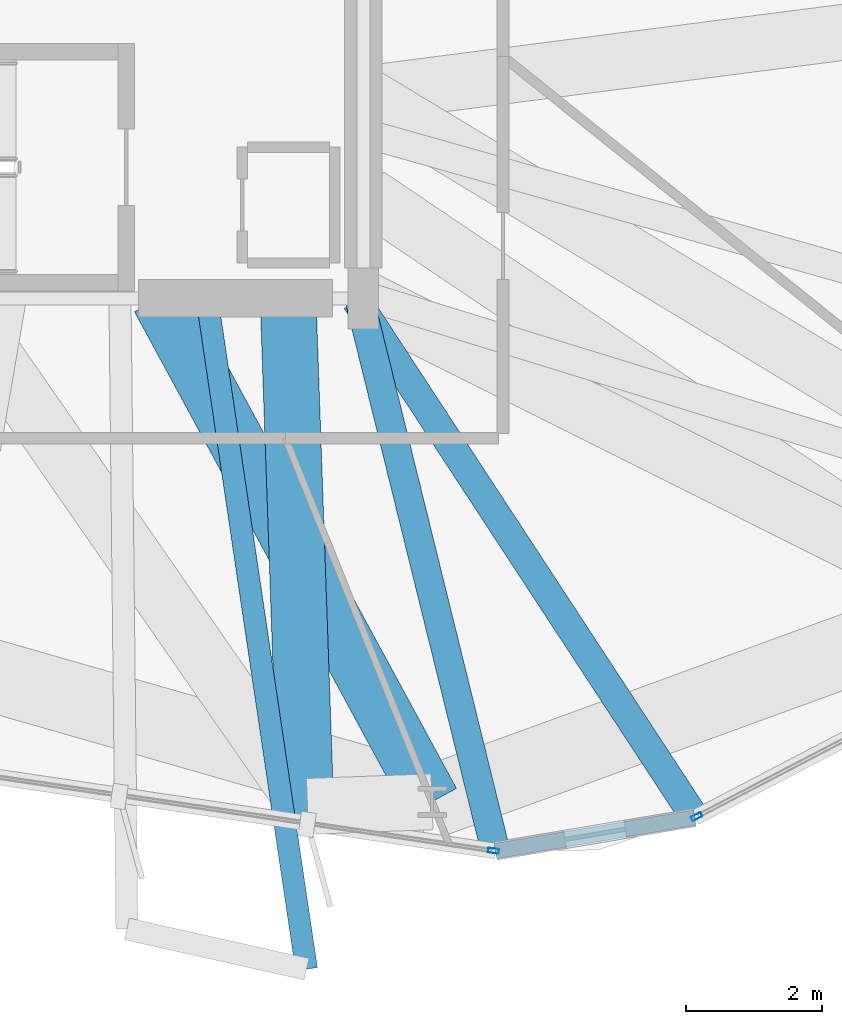
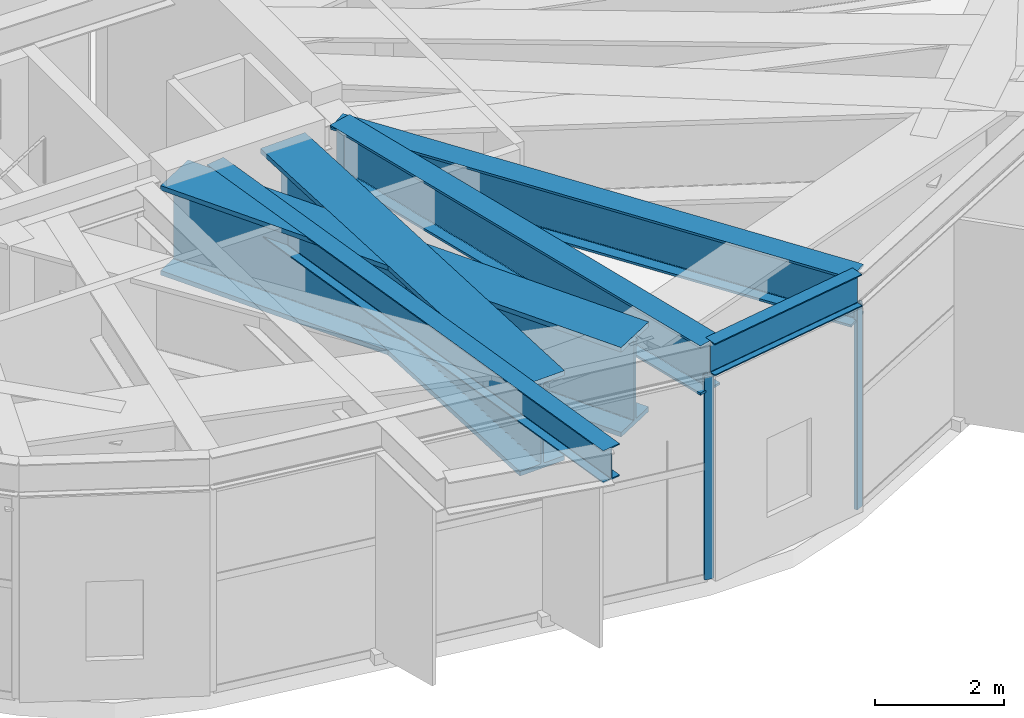
# One storey, part 7 of 27: 6 beams, 2 members, 2 elements without a shape of their own.
"""IFC4 building model written with IfcOpenShell, lengths in metres."""

from ifc_helpers import new_model, si_unit, direction, frame, origin, origin_2d, place, context, subcontext, project, spatial, hollow_rectangle, i_section, extrude, material, layer, layer_set, material_profile, profile_set, type_object, element, aggregate, save


model = new_model("IFC4")

# Units and contexts
model_context = context("Model", 3, precision=1e-05, world=origin(), true_north=direction((0.0, 1.0)))
body_context = subcontext(model_context, "Body", "Model", "MODEL_VIEW")
ifc_project = project(units=[si_unit("LENGTHUNIT", "METRE"), si_unit("AREAUNIT", "SQUARE_METRE"), si_unit("VOLUMEUNIT", "CUBIC_METRE"), si_unit("PLANEANGLEUNIT", "RADIAN"), si_unit("MASSUNIT", "GRAM", prefix="KILO")], contexts=[model_context])

# Site, building, storey
site_placement = place(None, origin())
site = spatial("IfcSite", under=ifc_project, at=site_placement, CompositionType="ELEMENT")
building_placement = place(site_placement, origin())
building = spatial("IfcBuilding", under=site, at=building_placement, Name="Soratama Intermodal Tower", CompositionType="ELEMENT")
storey_placement = place(building_placement, frame((0.0, 0.0, 134.199951171875)))
storey = spatial("IfcBuildingStorey", under=building, at=storey_placement, Name="L32", CompositionType="ELEMENT", Elevation=134.199951171875)

# Beams
ifc_material_1 = material(Name="Structural steel ASTM A992 Grade 50", Category="steel")
ifc_material_profile_1 = material_profile(ifc_material_1, i_section(OverallWidth=0.324951171875, OverallDepth=0.615966796875, WebThickness=0.013916015625, FlangeThickness=0.021484375, FilletRadius=0.013916015625, at=origin_2d()), Name="W24X117")
ifc_profile_set_1 = profile_set([ifc_material_profile_1], Name="Structural steel ASTM A992 Grade 50")
beam_type_1 = type_object("IfcBeamType", Name="BM-CANT-W24X117", PredefinedType="BEAM", material=ifc_profile_set_1)
beam_1_placement = place(storey_placement, frame((42.31005859375, 14.9599609375, 4.192138671875), z_axis=(0.146742322428, -0.989174752412, 0.0), x_axis=(0.989174752412, 0.146742322428, 0.0)))
element("IfcBeam", 1, at=beam_1_placement, inside=storey, type_object=beam_type_1, Name="BM-L32-CANT-4-2", PredefinedType="BEAM", context=body_context, shape_type="SweptSolid", body=[
    extrude(i_section(OverallWidth=0.324951171875, OverallDepth=0.615966796875, WebThickness=0.013916015625, FlangeThickness=0.021484375, FilletRadius=0.013916015625, at=origin_2d()), origin(), (0.0, 0.0, 1.0), 9.914306640625),
])
ifc_material_2 = material(Name="Structural steel ASTM A992 Grade 50", Category="steel")
ifc_material_profile_2 = material_profile(ifc_material_2, i_section(OverallWidth=0.423095703125, OverallDepth=0.93896484375, WebThickness=0.02392578125, FlangeThickness=0.042724609375, FilletRadius=0.02392578125, at=origin_2d()), Name="W36X302")
ifc_profile_set_2 = profile_set([ifc_material_profile_2], Name="Structural steel ASTM A992 Grade 50")
beam_type_2 = type_object("IfcBeamType", Name="BM-POD-W36X302", PredefinedType="BEAM", material=ifc_profile_set_2)
beam_2_placement = place(storey_placement, frame((44.548095703125, 14.9609375, 4.030517578125), z_axis=(0.239529612978, -0.970889058805, 0.0), x_axis=(0.970889058805, 0.239529612978, 0.0)))
element("IfcBeam", 2, at=beam_2_placement, inside=storey, type_object=beam_type_2, Name="BM-L32-TIE1-07", PredefinedType="BEAM", context=body_context, shape_type="SweptSolid", body=[
    extrude(i_section(OverallWidth=0.423095703125, OverallDepth=0.93896484375, WebThickness=0.02392578125, FlangeThickness=0.042724609375, FilletRadius=0.02392578125, at=origin_2d()), origin(), (0.0, 0.0, 1.0), 8.316162109375),
])
beam_3_placement = place(storey_placement, frame((44.49609375, 14.967041015625, 4.030517578125), z_axis=(0.547856129034, -0.836572568209, 0.0), x_axis=(0.836572568209, 0.547856129034, 0.0)))
element("IfcBeam", 3, at=beam_3_placement, inside=storey, type_object=beam_type_2, Name="BM-L32-TIE0-08", PredefinedType="BEAM", context=body_context, shape_type="SweptSolid", body=[
    extrude(i_section(OverallWidth=0.423095703125, OverallDepth=0.93896484375, WebThickness=0.02392578125, FlangeThickness=0.042724609375, FilletRadius=0.02392578125, at=origin_2d()), origin(), (0.0, 0.0, 1.0), 9.07177734375),
])
ifc_material_3 = material(Name="Structural steel ASTM A992 Grade 50", Category="steel")
ifc_material_profile_3 = material_profile(ifc_material_3, i_section(OverallWidth=0.22900390625, OverallDepth=0.612060546875, WebThickness=0.011962890625, FlangeThickness=0.01953125, FilletRadius=0.012939453125, at=origin_2d()), Name="W24X84")
ifc_profile_set_3 = profile_set([ifc_material_profile_3], Name="Structural steel ASTM A992 Grade 50")
beam_type_3 = type_object("IfcBeamType", Name="BM-SPN-W24X84", PredefinedType="SPANDREL", material=ifc_profile_set_3)
beam_4_placement = place(storey_placement, frame((46.5400390625, 6.886962890625, 4.194091796875), z_axis=(0.986213189202, 0.165479743303, 0.0), x_axis=(-0.165479743303, 0.986213189202, 0.0)))
element("IfcBeam", 4, at=beam_4_placement, inside=storey, type_object=beam_type_3, Name="BS-L32-CRN07", PredefinedType="SPANDREL", context=body_context, shape_type="SweptSolid", body=[
    extrude(i_section(OverallWidth=0.22900390625, OverallDepth=0.612060546875, WebThickness=0.011962890625, FlangeThickness=0.01953125, FilletRadius=0.012939453125, at=origin_2d()), origin(), (0.0, 0.0, 1.0), 2.967041015625),
])
ifc_material_4 = material(Name="Structural steel ASTM A992 Grade 50", Category="steel")
ifc_material_profile_4 = material_profile(ifc_material_4, i_section(OverallWidth=0.820068359375, OverallDepth=1.699951171875, WebThickness=0.053955078125, FlangeThickness=0.087890625, FilletRadius=0.02392578125, at=origin_2d()), Name="PG1580X800")
ifc_profile_set_4 = profile_set([ifc_material_profile_4], Name="Structural steel ASTM A992 Grade 50")
beam_type_4 = type_object("IfcBeamType", Name="BM-ZSTEP-PG1580", PredefinedType="BEAM", material=ifc_profile_set_4)
beam_5_placement = place(storey_placement, frame((43.4970703125, 14.9150390625, 3.650146484375), z_axis=(0.034892657199, -0.999391065836, 0.0), x_axis=(0.999391065836, 0.034892657199, 0.0)))
element("IfcBeam", 5, at=beam_5_placement, inside=storey, type_object=beam_type_4, Name="BM-L32-ZCHORD-08", PredefinedType="BEAM", context=body_context, shape_type="SweptSolid", body=[
    extrude(i_section(OverallWidth=0.820068359375, OverallDepth=1.699951171875, WebThickness=0.053955078125, FlangeThickness=0.087890625, FilletRadius=0.02392578125, at=origin_2d()), origin(), (0.0, 0.0, 1.0), 7.61962890625),
])
beam_6_placement = place(storey_placement, frame((41.60009765625, 15.0, 3.650146484375), z_axis=(0.476697610532, -0.879067339919, 0.0), x_axis=(0.879067339919, 0.476697610532, 0.0)))
element("IfcBeam", 6, at=beam_6_placement, inside=storey, type_object=beam_type_4, Name="BM-L32-RAD-08", PredefinedType="BEAM", context=body_context, shape_type="SweptSolid", body=[
    extrude(i_section(OverallWidth=0.820068359375, OverallDepth=1.699951171875, WebThickness=0.053955078125, FlangeThickness=0.087890625, FilletRadius=0.02392578125, at=origin_2d()), origin(), (0.0, 0.0, 1.0), 8.405517578125),
])

# Curtain wall, member
ifc_material_5 = material(Name="Double-glazed aluminium curtain wall", Category="aluminium")
ifc_layer = layer(ifc_material_5, 0.159912109375)
ifc_layer_set = layer_set([ifc_layer], Name="Double-glazed aluminium curtain wall")
curtain_wall_type = type_object("IfcCurtainWallType", Name="CW-SYS-3", PredefinedType="NOTDEFINED", material=ifc_layer_set)
curtain_wall_1_placement = place(storey_placement, origin())
curtain_wall_1 = element("IfcCurtainWall", 7, at=curtain_wall_1_placement, inside=storey, type_object=curtain_wall_type, Name="L32 Faceted Curtain Wall F07", PredefinedType="NOTDEFINED")
ifc_material_6 = material(Name="Anodised aluminium AA 6063-T6", Category="aluminium")
ifc_material_profile_5 = material_profile(ifc_material_6, hollow_rectangle(XDim=0.070068359375, YDim=0.159912109375, WallThickness=0.0048828125, InnerFilletRadius=0.0048828125, OuterFilletRadius=0.010009765625, at=origin_2d()), Name="CWM160X70X5")
ifc_profile_set_5 = profile_set([ifc_material_profile_5], Name="Anodised aluminium AA 6063-T6")
member_type = type_object("IfcMemberType", Name="MT-CWM-3", PredefinedType="MULLION", material=ifc_profile_set_5)
member_1_placement = place(storey_placement, frame((46.51025390625, 6.89111328125, 0.0), z_axis=(0.0, 0.0, 1.0), x_axis=(0.147120202345, 0.989118620825, 0.0)))
member_1 = element("IfcMember", 8, at=member_1_placement, type_object=member_type, Name="CW-3 mullion 2", PredefinedType="MULLION", context=body_context, shape_type="SweptSolid", body=[
    extrude(hollow_rectangle(XDim=0.070068359375, YDim=0.159912109375, WallThickness=0.0048828125, InnerFilletRadius=0.0048828125, OuterFilletRadius=0.010009765625, at=origin_2d()), origin(), (0.0, 0.0, 1.0), 3.879150390625),
])
aggregate(curtain_wall_1, [member_1])

curtain_wall_2_placement = place(storey_placement, origin())
curtain_wall_2 = element("IfcCurtainWall", 9, at=curtain_wall_2_placement, inside=storey, type_object=curtain_wall_type, Name="L32 Faceted Curtain Wall F08", PredefinedType="NOTDEFINED")
member_2_placement = place(storey_placement, frame((49.4921875, 7.392333984375, 0.0), z_axis=(0.0, 0.0, 1.0), x_axis=(-0.462358726899, 0.886692961323, 0.0)))
member_2 = element("IfcMember", 10, at=member_2_placement, type_object=member_type, Name="CW-3 mullion 1", PredefinedType="MULLION", context=body_context, shape_type="SweptSolid", body=[
    extrude(hollow_rectangle(XDim=0.070068359375, YDim=0.159912109375, WallThickness=0.0048828125, InnerFilletRadius=0.0048828125, OuterFilletRadius=0.010009765625, at=origin_2d()), origin(), (0.0, 0.0, 1.0), 3.879150390625),
])
aggregate(curtain_wall_2, [member_2])

save(model, "model.ifc")
